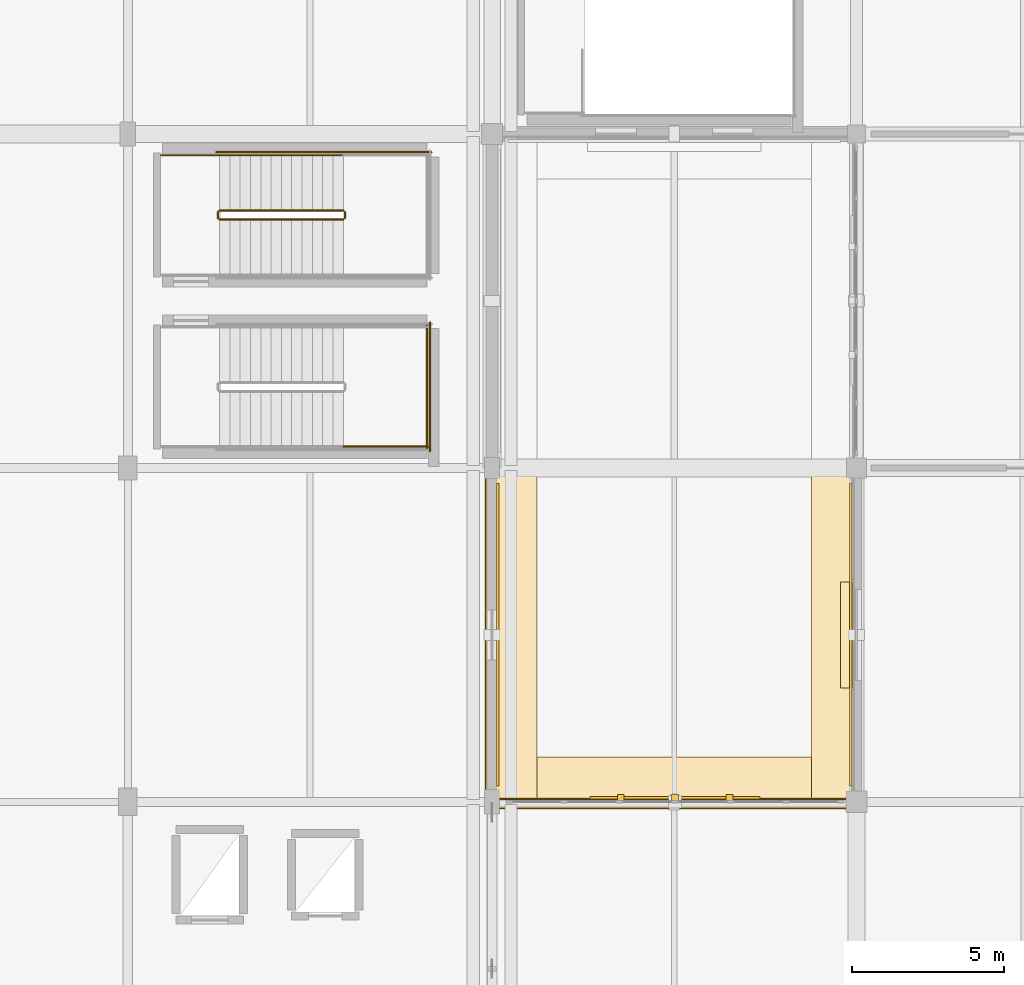
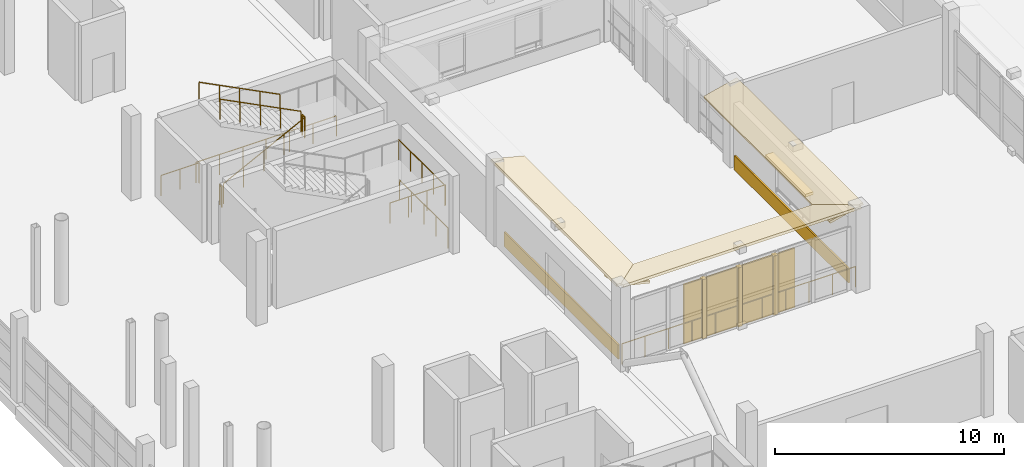
# One storey, part 113 of 118: 11 railings, 9 coverings, 1 shading device.
"""IFC4 building model written with IfcOpenShell, lengths in metres."""

import ifcopenshell
import ifcopenshell.guid

model = None  # the IFC model being written
_history = None  # IfcOwnerHistory: only IFC2X3 demands one
_inside = {}  # id of a spatial element -> (the spatial element, [elements in it])
_under = {}  # id of a project, library or spatial element -> (it, [spatial elements below it])
_declared = {}  # id of a project -> (the project, [libraries it declares])
_typed = {}  # id of a type object -> (the type object, [elements of that type])
_made_of = {}  # id of a material, layer set ... -> (it, [elements and type objects made of it])


def new_model(schema):
    """Start an empty IFC model of exactly this schema.

    Asked for "IFC4X3", IfcOpenShell would pick the latest addendum, in which some entities
    have other attributes; the version numbers below select the first issue.
    IFC2X3 requires an IfcOwnerHistory on every rooted entity: one is made here for all.
    """
    global model, _history
    if schema == "IFC4X3":
        model = ifcopenshell.file(schema_version=(4, 3, 0, 0))
    else:
        model = ifcopenshell.file(schema=schema)
    _inside.clear()
    _under.clear()
    _declared.clear()
    _typed.clear()
    _made_of.clear()
    _history = None
    if model.schema == "IFC2X3":
        org = make("IfcOrganization", Name="unknown")
        user = make(
            "IfcPersonAndOrganization",
            ThePerson=make("IfcPerson", FamilyName="unknown"),
            TheOrganization=org,
        )
        app = make(
            "IfcApplication",
            ApplicationDeveloper=org,
            Version="unknown",
            ApplicationFullName="unknown",
            ApplicationIdentifier="unknown",
        )
        _history = make(
            "IfcOwnerHistory",
            OwningUser=user,
            OwningApplication=app,
            ChangeAction="ADDED",
            CreationDate=0,
        )
    return model


def make(cls, **values):
    """One entity of the class cls with the attributes given. An attribute that is None is left unset."""
    return model.create_entity(
        cls, **{name: value for name, value in values.items() if value is not None}
    )


def rooted(cls, **values):
    """An entity with a GlobalId (a new one), such as an element, a storey or a relation."""
    return make(cls, GlobalId=ifcopenshell.guid.new(), OwnerHistory=_history, **values)


def si_unit(unit_type, name, prefix=None):
    """IfcSIUnit, for example si_unit("LENGTHUNIT", "METRE", prefix="MILLI")."""
    return make("IfcSIUnit", UnitType=unit_type, Prefix=prefix, Name=name)


def assignment(units):
    """IfcUnitAssignment: the units of a project."""
    return None if units is None else make("IfcUnitAssignment", Units=units)


def point(xyz):
    """IfcCartesianPoint."""
    return None if xyz is None else make("IfcCartesianPoint", Coordinates=xyz)


def direction(xyz):
    """IfcDirection."""
    return None if xyz is None else make("IfcDirection", DirectionRatios=xyz)


def frame(location, z_axis=None, x_axis=None):
    """IfcAxis2Placement3D, a coordinate frame: its origin and axes. An axis left out is left unset."""
    return make(
        "IfcAxis2Placement3D",
        Location=point(location),
        Axis=direction(z_axis),
        RefDirection=direction(x_axis),
    )


def frame_2d(location, x_axis=None):
    """IfcAxis2Placement2D, a coordinate frame in the plane: its origin and x axis."""
    return make(
        "IfcAxis2Placement2D", Location=point(location), RefDirection=direction(x_axis)
    )


def origin():
    """The frame at (0, 0, 0) with its axes left unset."""
    return frame((0.0, 0.0, 0.0))


def origin_2d():
    """The frame at (0, 0) in the plane with its x axis left unset."""
    return frame_2d((0.0, 0.0))


def place(relative_to, where):
    """IfcLocalPlacement: puts the frame where relative to a parent placement (None: the world)."""
    return make(
        "IfcLocalPlacement", PlacementRelTo=relative_to, RelativePlacement=where
    )


def context(
    kind, dimensions, precision=None, world=None, true_north=None, identifier=None
):
    """IfcGeometricRepresentationContext, for example the 3D "Model" context."""
    return make(
        "IfcGeometricRepresentationContext",
        ContextIdentifier=identifier,
        ContextType=kind,
        CoordinateSpaceDimension=dimensions,
        Precision=precision,
        WorldCoordinateSystem=world,
        TrueNorth=true_north,
    )


def subcontext(parent, identifier, kind, view, scale=None):
    """IfcGeometricRepresentationSubContext, for example "Body" below "Model"."""
    return make(
        "IfcGeometricRepresentationSubContext",
        ContextIdentifier=identifier,
        ContextType=kind,
        ParentContext=parent,
        TargetScale=scale,
        TargetView=view,
    )


def project(units=None, contexts=None):
    """IfcProject with its units and contexts."""
    return rooted(
        "IfcProject",
        Name="project",
        RepresentationContexts=contexts,
        UnitsInContext=assignment(units),
    )


def spatial(cls, under=None, at=None, **own):
    """A site, building, storey or space (cls), placed at a placement, below another one or the project."""
    s = rooted(cls, ObjectPlacement=at, **own)
    if under is not None:
        _under.setdefault(under.id(), (under, []))[1].append(s)
    return s


def polyline(points):
    """IfcPolyline through the points."""
    return make("IfcPolyline", Points=[point(p) for p in points])


def profile(cls, at=None, kind="AREA", **sizes):
    """A parametric profile (cls). Its sizes go by their IFC names, for example OverallWidth=200.0."""
    return make(cls, ProfileType=kind, Position=at, **sizes)


def rectangle(**sizes):
    """IfcRectangleProfileDef."""
    return profile("IfcRectangleProfileDef", **sizes)


def circle(**sizes):
    """IfcCircleProfileDef."""
    return profile("IfcCircleProfileDef", **sizes)


def outline(outer, holes=None, kind="AREA"):
    """IfcArbitraryClosedProfileDef: a profile drawn as a closed curve; with holes, ...WithVoids."""
    if holes is None:
        return make("IfcArbitraryClosedProfileDef", ProfileType=kind, OuterCurve=outer)
    return make(
        "IfcArbitraryProfileDefWithVoids",
        ProfileType=kind,
        OuterCurve=outer,
        InnerCurves=holes,
    )


def extrude(swept, where, along, depth):
    """IfcExtrudedAreaSolid: the profile swept, set in the frame where, extruded along a direction by depth."""
    return make(
        "IfcExtrudedAreaSolid",
        SweptArea=swept,
        Position=where,
        ExtrudedDirection=direction(along),
        Depth=depth,
    )


def shape(context_of_items, identifier, shape_type, items):
    """IfcShapeRepresentation: the items that make up one representation, for example the "Body"."""
    return make(
        "IfcShapeRepresentation",
        ContextOfItems=context_of_items,
        RepresentationIdentifier=identifier,
        RepresentationType=shape_type,
        Items=items,
    )


def material(Name=None, Category=None):
    """IfcMaterial."""
    return make("IfcMaterial", Name=Name, Category=Category)


def layer(
    of_material, thickness, ventilated=None, Name=None, Category=None, Priority=None
):
    """IfcMaterialLayer: one layer of a wall or slab, of a material (None: an air gap)."""
    return make(
        "IfcMaterialLayer",
        Material=of_material,
        LayerThickness=thickness,
        IsVentilated=ventilated,
        Name=Name,
        Category=Category,
        Priority=Priority,
    )


def layer_set(layers, Name=None):
    """IfcMaterialLayerSet."""
    return make("IfcMaterialLayerSet", MaterialLayers=layers, LayerSetName=Name)


def made_of(thing, what):
    """Note that an element or type object is made of a material, layer set ...; save() writes the relation."""
    if what is not None:
        _made_of.setdefault(what.id(), (what, []))[1].append(thing)
    return thing


def type_object(cls, material=None, **own):
    """A type object (cls), such as IfcWallType, which elements share."""
    return made_of(rooted(cls, **own), material)


def element(
    cls,
    number,
    at=None,
    inside=None,
    cuts=None,
    type_object=None,
    material=None,
    context=None,
    identifier="Body",
    shape_type=None,
    held_by="IfcProductDefinitionShape",
    body=None,
    shapes=None,
    **own,
):
    """One element of the class cls, such as IfcWall. Its Tag is "e" and its number.

    at: its placement. inside: the storey or other place that contains it. cuts: it is an
    opening in that element (IfcRelVoidsElement). A single representation is given by context,
    identifier, shape_type and body (its items); several are given by shapes. held_by: the class
    of the entity that holds the representations. save() writes the other relations.
    """
    e = rooted(cls, Tag="e%d" % number, ObjectPlacement=at, **own)
    if body is not None:
        shapes = [shape(context, identifier, shape_type, body)]
    if shapes is not None:
        e.Representation = make(held_by, Representations=shapes)
    if inside is not None:
        _inside.setdefault(inside.id(), (inside, []))[1].append(e)
    if cuts is not None:
        rooted(
            "IfcRelVoidsElement", RelatingBuildingElement=cuts, RelatedOpeningElement=e
        )
    if type_object is not None:
        _typed.setdefault(type_object.id(), (type_object, []))[1].append(e)
    return made_of(e, material)


def aggregate(whole, parts):
    """IfcRelAggregates: a whole, such as a stair, and the parts it consists of."""
    return rooted("IfcRelAggregates", RelatingObject=whole, RelatedObjects=parts)


def save(model, path):
    """Write the relations noted so far, then the file.

    IfcRelAggregates (storeys below a building ...), IfcRelContainedInSpatialStructure (elements
    in a storey), IfcRelDefinesByType, IfcRelAssociatesMaterial and IfcRelDeclares: one each for
    every whole, place, type object, material and project.
    """
    for whole, parts in _under.values():
        aggregate(whole, parts)
    for where, things in _inside.values():
        rooted(
            "IfcRelContainedInSpatialStructure",
            RelatedElements=things,
            RelatingStructure=where,
        )
    for kind, things in _typed.values():
        rooted("IfcRelDefinesByType", RelatedObjects=things, RelatingType=kind)
    for what, things in _made_of.values():
        rooted("IfcRelAssociatesMaterial", RelatedObjects=things, RelatingMaterial=what)
    for by, libraries in _declared.values():
        rooted("IfcRelDeclares", RelatingContext=by, RelatedDefinitions=libraries)
    model.write(path)


model = new_model("IFC4")

# Units and contexts
model_context = context("Model", 3, precision=1e-05, world=origin(), true_north=direction((0.0, 1.0)))
body_context = subcontext(model_context, "Body", "Model", "MODEL_VIEW")
ifc_project = project(units=[si_unit("LENGTHUNIT", "METRE"), si_unit("AREAUNIT", "SQUARE_METRE"), si_unit("VOLUMEUNIT", "CUBIC_METRE"), si_unit("PLANEANGLEUNIT", "RADIAN"), si_unit("MASSUNIT", "GRAM", prefix="KILO")], contexts=[model_context])

# Site, building, storey
site_placement = place(None, origin())
site = spatial("IfcSite", under=ifc_project, at=site_placement, CompositionType="ELEMENT")
building_placement = place(site_placement, origin())
building = spatial("IfcBuilding", under=site, at=building_placement, Name="Luwafu Chhajja Arena", CompositionType="ELEMENT")
storey_placement = place(building_placement, frame((0.0, 0.0, 10.199951171875)))
storey = spatial("IfcBuildingStorey", under=building, at=storey_placement, Name="L02", CompositionType="ELEMENT", Elevation=10.199951171875)

# Coverings
ifc_material_1 = material(Name="Red laterite sandstone cladding", Category="masonry")
ifc_layer_1 = layer(ifc_material_1, 0.074951171875, Name="Red laterite sandstone cladding")
ifc_layer_set_1 = layer_set([ifc_layer_1], Name="Red laterite sandstone cladding")
covering_type = type_object("IfcCoveringType", Name="Dressed Red-Laterite Sandstone Cladding", PredefinedType="CLADDING", material=ifc_layer_set_1)
covering_1_placement = place(storey_placement, frame((163.800048828125, 33.0, 4.4599609375), z_axis=(0.242502450825, 0.0, 0.970150793096), x_axis=(0.0, 1.0, 0.0)))
element("IfcCovering", 1, at=covering_1_placement, inside=storey, type_object=covering_type, Name="L02 Continuous Sloped Sandstone Chhajja Eave 0163", PredefinedType="CLADDING", context=body_context, shape_type="SweptSolid", body=[
    extrude(outline(polyline([(0.0, 0.0), (11.0, 0.0), (11.0, -1.731619097341133), (0.0, -1.731619097341133), (0.0, 0.0)])), origin(), (0.0, 0.0, -1.0), 0.1298828125),
])
covering_2_placement = place(storey_placement, frame((164.19189453125, 38.5, 0.0), z_axis=(0.0, 0.0, 1.0), x_axis=(0.0, 1.0, 0.0)))
element("IfcCovering", 2, at=covering_2_placement, inside=storey, type_object=covering_type, Name="L02 Red-Laterite Sandstone Plinth Cladding 063", PredefinedType="CLADDING", context=body_context, shape_type="SweptSolid", body=[
    extrude(rectangle(XDim=9.9599609375, YDim=0.0849609375, at=origin_2d()), origin(), (0.0, 0.0, 1.0), 0.760009765625),
])
covering_3_placement = place(storey_placement, frame((164.0, 32.800048828125, 4.4599609375), z_axis=(0.0, 0.242502450825, 0.970150793096), x_axis=(1.0, 0.0, 0.0)))
element("IfcCovering", 3, at=covering_3_placement, inside=storey, type_object=covering_type, Name="L02 Continuous Sloped Sandstone Chhajja Eave 0166", PredefinedType="CLADDING", context=body_context, shape_type="SweptSolid", body=[
    extrude(outline(polyline([(0.0, 0.0), (12.0, 0.0), (12.0, 1.731619097341133), (0.0, 1.731619097341133), (0.0, 0.0)])), origin(), (0.0, 0.0, -1.0), 0.1298828125),
])
for number, where, z_axis, x_axis, name in (
    (4, (168.23291015625, 33.1298828125, 0.0), (0.0, 0.0, 1.0), (1.0, 0.0, 0.0), "L02 Sandstone Jali Mullion Fin 042"),
    (5, (170.02490234375, 33.1298828125, 0.0), (0.0, 0.0, 1.0), (1.0, 0.0, 0.0), "L02 Sandstone Jali Mullion Fin 042"),
    (6, (171.81689453125, 33.1298828125, 0.0), (0.0, 0.0, 1.0), (1.0, 0.0, 0.0), "L02 Sandstone Jali Mullion Fin 042"),
):
    element("IfcCovering", number, at=place(storey_placement, frame(where, z_axis=z_axis, x_axis=x_axis)), inside=storey, type_object=covering_type, Name=name, PredefinedType="CLADDING", context=body_context, shape_type="SweptSolid", body=[
        extrude(rectangle(XDim=0.219970703125, YDim=0.239990234375, at=origin_2d()), origin(), (0.0, 0.0, 1.0), 3.155029296875),
    ])
covering_4_placement = place(storey_placement, frame((176.199951171875, 33.0, 4.4599609375), z_axis=(-0.242502450825, 0.0, 0.970150793096), x_axis=(0.0, 1.0, 0.0)))
element("IfcCovering", 7, at=covering_4_placement, inside=storey, type_object=covering_type, Name="L02 Continuous Sloped Sandstone Chhajja Eave 0171", PredefinedType="CLADDING", context=body_context, shape_type="SweptSolid", body=[
    extrude(outline(polyline([(0.0, 0.0), (11.0, 0.0), (11.0, 1.731619097341133), (0.0, 1.731619097341133), (0.0, 0.0)])), origin(), (0.0, 0.0, -1.0), 0.1298828125),
])
covering_5_placement = place(storey_placement, frame((175.80810546875, 38.5, 0.0), z_axis=(0.0, 0.0, 1.0), x_axis=(0.0, 1.0, 0.0)))
element("IfcCovering", 8, at=covering_5_placement, inside=storey, type_object=covering_type, Name="L02 Red-Laterite Sandstone Plinth Cladding 069", PredefinedType="CLADDING", context=body_context, shape_type="SweptSolid", body=[
    extrude(rectangle(XDim=9.9599609375, YDim=0.0849609375, at=origin_2d()), origin(), (0.0, 0.0, 1.0), 0.760009765625),
])
covering_6_placement = place(storey_placement, frame((175.679931640625, 38.5, 2.72998046875), z_axis=(0.0, 0.0, 1.0), x_axis=(0.0, 1.0, 0.0)))
element("IfcCovering", 9, at=covering_6_placement, inside=storey, type_object=covering_type, Name="L02 Mughal Sandstone Window Chhajja Hood 0065", PredefinedType="CLADDING", context=body_context, shape_type="SweptSolid", body=[
    extrude(rectangle(XDim=3.5, YDim=0.419921875, at=origin_2d()), origin(), (0.0, 0.0, 1.0), 0.139892578125),
])

# Shading device
ifc_material_2 = material(Name="Pierced buff sandstone jali", Category="masonry")
ifc_layer_2 = layer(ifc_material_2, 0.080078125, Name="Pierced buff sandstone jali")
ifc_layer_set_2 = layer_set([ifc_layer_2], Name="Pierced buff sandstone jali")
shading_device_type = type_object("IfcShadingDeviceType", Name="Pierced Buff-Sandstone Jali Screen", PredefinedType="JALOUSIE", material=ifc_layer_set_2)
shading_device_placement = place(storey_placement, frame((170.02490234375, 33.1298828125, 0.0), z_axis=(0.0, 0.0, 1.0), x_axis=(1.0, 0.0, 0.0)))
element("IfcShadingDevice", 10, at=shading_device_placement, inside=storey, type_object=shading_device_type, Name="L02 Pierced Buff-Sandstone Jali Screen 042", PredefinedType="JALOUSIE", context=body_context, shape_type="SweptSolid", body=[
    extrude(rectangle(XDim=5.60009765625, YDim=0.080078125, at=origin_2d()), origin(), (0.0, 0.0, 1.0), 3.155029296875),
])

# Railings
ifc_material_3 = material(Name="Stainless steel handrail", Category="steel")
railing_type_1 = type_object("IfcRailingType", Name="Stair Pitch Wall Handrail 920", PredefinedType="HANDRAIL", material=ifc_material_3)
railing_1_placement = place(storey_placement, frame((159.10009765625, 54.300048828125, 2.423095703125)))
element("IfcRailing", 11, at=railing_1_placement, inside=storey, type_object=railing_type_1, Name="L02 ST-12 stair handrail 2", PredefinedType="HANDRAIL", context=body_context, shape_type="SweptSolid", body=[
    extrude(circle(Radius=0.02392578125, at=origin_2d()), frame((0.0, 0.0, 0.8759765625), z_axis=(-0.891183106714, 0.0, 0.453643770274), x_axis=(0.0, -1.0, 0.0)), (0.0, 0.0, 1.0), 4.578369140625),
    extrude(circle(Radius=0.02099609375, at=origin_2d()), origin(), (0.0, 0.0, 1.0), 0.851806640625),
    extrude(circle(Radius=0.02099609375, at=origin_2d()), frame((-1.02001953125, 0.0, 0.519287109375)), (0.0, 0.0, 1.0), 0.851806640625),
    extrude(circle(Radius=0.02099609375, at=origin_2d()), frame((-2.0400390625, 0.0, 1.03857421875)), (0.0, 0.0, 1.0), 0.851806640625),
    extrude(circle(Radius=0.02099609375, at=origin_2d()), frame((-3.06005859375, 0.0, 1.5576171875)), (0.0, 0.0, 1.0), 0.851806640625),
    extrude(circle(Radius=0.02099609375, at=origin_2d()), frame((-4.080078125, 0.0, 2.076904296875)), (0.0, 0.0, 1.0), 0.851806640625),
])
ifc_material_4 = material(Name="Stainless steel balustrade", Category="steel")
railing_type_2 = type_object("IfcRailingType", Name="Stair and Terrace Guard Balustrade 1100", PredefinedType="BALUSTRADE", material=ifc_material_4)
railing_2_placement = place(storey_placement, frame((159.10009765625, 44.699951171875, 2.25)))
element("IfcRailing", 12, at=railing_2_placement, inside=storey, type_object=railing_type_2, Name="L02 ST-11 stair guard 3", PredefinedType="BALUSTRADE", context=body_context, shape_type="SweptSolid", body=[
    extrude(circle(Radius=0.02392578125, at=origin_2d()), frame((0.0, 0.0, 1.076171875), z_axis=(1.0, 0.0, 0.0), x_axis=(0.0, 1.0, 0.0)), (0.0, 0.0, 1.0), 2.7998046875),
    extrude(circle(Radius=0.02099609375, at=origin_2d()), origin(), (0.0, 0.0, 1.0), 1.052001953125),
    extrude(circle(Radius=0.02099609375, at=origin_2d()), frame((0.933349609375, 0.0, 0.0)), (0.0, 0.0, 1.0), 1.052001953125),
    extrude(circle(Radius=0.02099609375, at=origin_2d()), frame((1.866455078125, 0.0, 0.0)), (0.0, 0.0, 1.0), 1.052001953125),
    extrude(circle(Radius=0.02099609375, at=origin_2d()), frame((2.7998046875, 0.0, 0.0)), (0.0, 0.0, 1.0), 1.052001953125),
])
railing_3_placement = place(storey_placement, frame((161.85009765625, 44.64990234375, 2.25)))
element("IfcRailing", 13, at=railing_3_placement, inside=storey, type_object=railing_type_2, Name="L02 ST-11 stair guard 5", PredefinedType="BALUSTRADE", context=body_context, shape_type="SweptSolid", body=[
    extrude(circle(Radius=0.02392578125, at=origin_2d()), frame((0.0, 0.0, 1.076171875), z_axis=(0.0, 1.0, 0.0), x_axis=(-1.0, 0.0, 0.0)), (0.0, 0.0, 1.0), 4.0400390625),
    extrude(circle(Radius=0.02099609375, at=origin_2d()), origin(), (0.0, 0.0, 1.0), 1.052001953125),
    extrude(circle(Radius=0.02099609375, at=origin_2d()), frame((0.0, 1.010009765625, 0.0)), (0.0, 0.0, 1.0), 1.052001953125),
    extrude(circle(Radius=0.02099609375, at=origin_2d()), frame((0.0, 2.02001953125, 0.0)), (0.0, 0.0, 1.0), 1.052001953125),
    extrude(circle(Radius=0.02099609375, at=origin_2d()), frame((0.0, 3.030029296875, 0.0)), (0.0, 0.0, 1.0), 1.052001953125),
    extrude(circle(Radius=0.02099609375, at=origin_2d()), frame((0.0, 4.0400390625, 0.0)), (0.0, 0.0, 1.0), 1.052001953125),
])
railing_4_placement = place(storey_placement, frame((161.949951171875, 44.550048828125, 0.0)))
element("IfcRailing", 14, at=railing_4_placement, inside=storey, type_object=railing_type_2, Name="L02 ST-11 stair guard 12", PredefinedType="BALUSTRADE", context=body_context, shape_type="SweptSolid", body=[
    extrude(circle(Radius=0.02392578125, at=origin_2d()), frame((0.0, 0.0, 1.076171875), z_axis=(0.0, 1.0, 0.0), x_axis=(-1.0, 0.0, 0.0)), (0.0, 0.0, 1.0), 4.239990234375),
    extrude(circle(Radius=0.02099609375, at=origin_2d()), origin(), (0.0, 0.0, 1.0), 1.052001953125),
    extrude(circle(Radius=0.02099609375, at=origin_2d()), frame((0.0, 1.06005859375, 0.0)), (0.0, 0.0, 1.0), 1.052001953125),
    extrude(circle(Radius=0.02099609375, at=origin_2d()), frame((0.0, 2.1201171875, 0.0)), (0.0, 0.0, 1.0), 1.052001953125),
    extrude(circle(Radius=0.02099609375, at=origin_2d()), frame((0.0, 3.179931640625, 0.0)), (0.0, 0.0, 1.0), 1.052001953125),
    extrude(circle(Radius=0.02099609375, at=origin_2d()), frame((0.0, 4.239990234375, 0.0)), (0.0, 0.0, 1.0), 1.052001953125),
])
railing_5_placement = place(storey_placement, frame((155.02001953125, 52.179931640625, 0.173095703125)))
element("IfcRailing", 15, at=railing_5_placement, inside=storey, type_object=railing_type_2, Name="L02 ST-12 stair guard 1", PredefinedType="BALUSTRADE", context=body_context, shape_type="SweptSolid", body=[
    extrude(circle(Radius=0.02392578125, at=origin_2d()), frame((0.0, 0.0, 1.076171875), z_axis=(0.891183106714, 0.0, 0.453643770274), x_axis=(0.0, 1.0, 0.0)), (0.0, 0.0, 1.0), 4.578369140625),
    extrude(circle(Radius=0.02099609375, at=origin_2d()), origin(), (0.0, 0.0, 1.0), 1.052001953125),
    extrude(circle(Radius=0.02099609375, at=origin_2d()), frame((1.02001953125, 0.0, 0.519287109375)), (0.0, 0.0, 1.0), 1.052001953125),
    extrude(circle(Radius=0.02099609375, at=origin_2d()), frame((2.0400390625, 0.0, 1.03857421875)), (0.0, 0.0, 1.0), 1.052001953125),
    extrude(circle(Radius=0.02099609375, at=origin_2d()), frame((3.06005859375, 0.0, 1.5576171875)), (0.0, 0.0, 1.0), 1.052001953125),
    extrude(circle(Radius=0.02099609375, at=origin_2d()), frame((4.080078125, 0.0, 2.076904296875)), (0.0, 0.0, 1.0), 1.052001953125),
])
railing_6_placement = place(storey_placement, frame((159.14990234375, 52.22998046875, 2.25)))
element("IfcRailing", 16, at=railing_6_placement, inside=storey, type_object=railing_type_2, Name="L02 ST-12 stair guard 2", PredefinedType="BALUSTRADE", context=body_context, shape_type="SweptSolid", body=[
    extrude(circle(Radius=0.02392578125, at=origin_2d()), frame((0.0, 0.0, 1.076171875), z_axis=(0.0, 1.0, 0.0), x_axis=(-1.0, 0.0, 0.0)), (0.0, 0.0, 1.0), 0.199951171875),
    extrude(circle(Radius=0.02099609375, at=origin_2d()), origin(), (0.0, 0.0, 1.0), 1.052001953125),
    extrude(circle(Radius=0.02099609375, at=origin_2d()), frame((0.0, 0.199951171875, 0.0)), (0.0, 0.0, 1.0), 1.052001953125),
])
railing_7_placement = place(storey_placement, frame((159.10009765625, 52.47998046875, 2.423095703125)))
element("IfcRailing", 17, at=railing_7_placement, inside=storey, type_object=railing_type_2, Name="L02 ST-12 stair guard 6", PredefinedType="BALUSTRADE", context=body_context, shape_type="SweptSolid", body=[
    extrude(circle(Radius=0.02392578125, at=origin_2d()), frame((0.0, 0.0, 1.076171875), z_axis=(-0.891183106714, 0.0, 0.453643770274), x_axis=(0.0, -1.0, 0.0)), (0.0, 0.0, 1.0), 4.578369140625),
    extrude(circle(Radius=0.02099609375, at=origin_2d()), origin(), (0.0, 0.0, 1.0), 1.052001953125),
    extrude(circle(Radius=0.02099609375, at=origin_2d()), frame((-1.02001953125, 0.0, 0.519287109375)), (0.0, 0.0, 1.0), 1.052001953125),
    extrude(circle(Radius=0.02099609375, at=origin_2d()), frame((-2.0400390625, 0.0, 1.03857421875)), (0.0, 0.0, 1.0), 1.052001953125),
    extrude(circle(Radius=0.02099609375, at=origin_2d()), frame((-3.06005859375, 0.0, 1.5576171875)), (0.0, 0.0, 1.0), 1.052001953125),
    extrude(circle(Radius=0.02099609375, at=origin_2d()), frame((-4.080078125, 0.0, 2.076904296875)), (0.0, 0.0, 1.0), 1.052001953125),
])
railing_8_placement = place(storey_placement, frame((154.969970703125, 52.22998046875, 0.0)))
element("IfcRailing", 18, at=railing_8_placement, inside=storey, type_object=railing_type_2, Name="L02 ST-12 stair guard 7", PredefinedType="BALUSTRADE", context=body_context, shape_type="SweptSolid", body=[
    extrude(circle(Radius=0.02392578125, at=origin_2d()), frame((0.0, 0.0, 1.076171875), z_axis=(0.0, 1.0, 0.0), x_axis=(-1.0, 0.0, 0.0)), (0.0, 0.0, 1.0), 0.199951171875),
    extrude(circle(Radius=0.02099609375, at=origin_2d()), origin(), (0.0, 0.0, 1.0), 1.052001953125),
    extrude(circle(Radius=0.02099609375, at=origin_2d()), frame((0.0, 0.199951171875, 0.0)), (0.0, 0.0, 1.0), 1.052001953125),
])
railing_9_placement = place(storey_placement, frame((153.10009765625, 54.300048828125, 0.0)))
element("IfcRailing", 19, at=railing_9_placement, inside=storey, type_object=railing_type_2, Name="L02 ST-12 stair guard 9", PredefinedType="BALUSTRADE", context=body_context, shape_type="SweptSolid", body=[
    extrude(circle(Radius=0.02392578125, at=origin_2d()), frame((0.0, 0.0, 1.076171875), z_axis=(1.0, 0.0, 0.0), x_axis=(0.0, 1.0, 0.0)), (0.0, 0.0, 1.0), 1.919921875),
    extrude(circle(Radius=0.02099609375, at=origin_2d()), origin(), (0.0, 0.0, 1.0), 1.052001953125),
    extrude(circle(Radius=0.02099609375, at=origin_2d()), frame((0.9599609375, 0.0, 0.0)), (0.0, 0.0, 1.0), 1.052001953125),
    extrude(circle(Radius=0.02099609375, at=origin_2d()), frame((1.919921875, 0.0, 0.0)), (0.0, 0.0, 1.0), 1.052001953125),
])
railing_10_placement = place(storey_placement, frame((154.919921875, 54.39990234375, 0.0)))
element("IfcRailing", 20, at=railing_10_placement, inside=storey, type_object=railing_type_2, Name="L02 ST-12 stair guard 11", PredefinedType="BALUSTRADE", context=body_context, shape_type="SweptSolid", body=[
    extrude(circle(Radius=0.02392578125, at=origin_2d()), frame((0.0, 0.0, 1.076171875), z_axis=(1.0, 0.0, 0.0), x_axis=(0.0, 1.0, 0.0)), (0.0, 0.0, 1.0), 7.080078125),
    extrude(circle(Radius=0.02099609375, at=origin_2d()), origin(), (0.0, 0.0, 1.0), 1.052001953125),
    extrude(circle(Radius=0.02099609375, at=origin_2d()), frame((1.179931640625, 0.0, 0.0)), (0.0, 0.0, 1.0), 1.052001953125),
    extrude(circle(Radius=0.02099609375, at=origin_2d()), frame((2.360107421875, 0.0, 0.0)), (0.0, 0.0, 1.0), 1.052001953125),
    extrude(circle(Radius=0.02099609375, at=origin_2d()), frame((3.5400390625, 0.0, 0.0)), (0.0, 0.0, 1.0), 1.052001953125),
    extrude(circle(Radius=0.02099609375, at=origin_2d()), frame((4.719970703125, 0.0, 0.0)), (0.0, 0.0, 1.0), 1.052001953125),
    extrude(circle(Radius=0.02099609375, at=origin_2d()), frame((5.900146484375, 0.0, 0.0)), (0.0, 0.0, 1.0), 1.052001953125),
    extrude(circle(Radius=0.02099609375, at=origin_2d()), frame((7.080078125, 0.0, 0.0)), (0.0, 0.0, 1.0), 1.052001953125),
])
railing_11_placement = place(storey_placement, frame((164.10009765625, 33.10009765625, 0.0)))
element("IfcRailing", 21, at=railing_11_placement, inside=storey, type_object=railing_type_2, Name="L02 Podium Terrace Balustrade 0004", PredefinedType="BALUSTRADE", context=body_context, shape_type="SweptSolid", body=[
    extrude(circle(Radius=0.02392578125, at=origin_2d()), frame((0.0, 0.0, 1.09619140625), z_axis=(1.0, 0.0, 0.0), x_axis=(0.0, 1.0, 0.0)), (0.0, 0.0, 1.0), 11.7998046875),
    extrude(circle(Radius=0.02099609375, at=origin_2d()), origin(), (0.0, 0.0, 1.0), 1.072021484375),
    extrude(circle(Radius=0.02099609375, at=origin_2d()), frame((1.179931640625, 0.0, 0.0)), (0.0, 0.0, 1.0), 1.072021484375),
    extrude(circle(Radius=0.02099609375, at=origin_2d()), frame((2.35986328125, 0.0, 0.0)), (0.0, 0.0, 1.0), 1.072021484375),
    extrude(circle(Radius=0.02099609375, at=origin_2d()), frame((3.5400390625, 0.0, 0.0)), (0.0, 0.0, 1.0), 1.072021484375),
    extrude(circle(Radius=0.02099609375, at=origin_2d()), frame((4.719970703125, 0.0, 0.0)), (0.0, 0.0, 1.0), 1.072021484375),
    extrude(circle(Radius=0.02099609375, at=origin_2d()), frame((5.89990234375, 0.0, 0.0)), (0.0, 0.0, 1.0), 1.072021484375),
    extrude(circle(Radius=0.02099609375, at=origin_2d()), frame((7.079833984375, 0.0, 0.0)), (0.0, 0.0, 1.0), 1.072021484375),
    extrude(circle(Radius=0.02099609375, at=origin_2d()), frame((8.259765625, 0.0, 0.0)), (0.0, 0.0, 1.0), 1.072021484375),
    extrude(circle(Radius=0.02099609375, at=origin_2d()), frame((9.43994140625, 0.0, 0.0)), (0.0, 0.0, 1.0), 1.072021484375),
    extrude(circle(Radius=0.02099609375, at=origin_2d()), frame((10.619873046875, 0.0, 0.0)), (0.0, 0.0, 1.0), 1.072021484375),
    extrude(circle(Radius=0.02099609375, at=origin_2d()), frame((11.7998046875, 0.0, 0.0)), (0.0, 0.0, 1.0), 1.072021484375),
])

save(model, "model.ifc")
